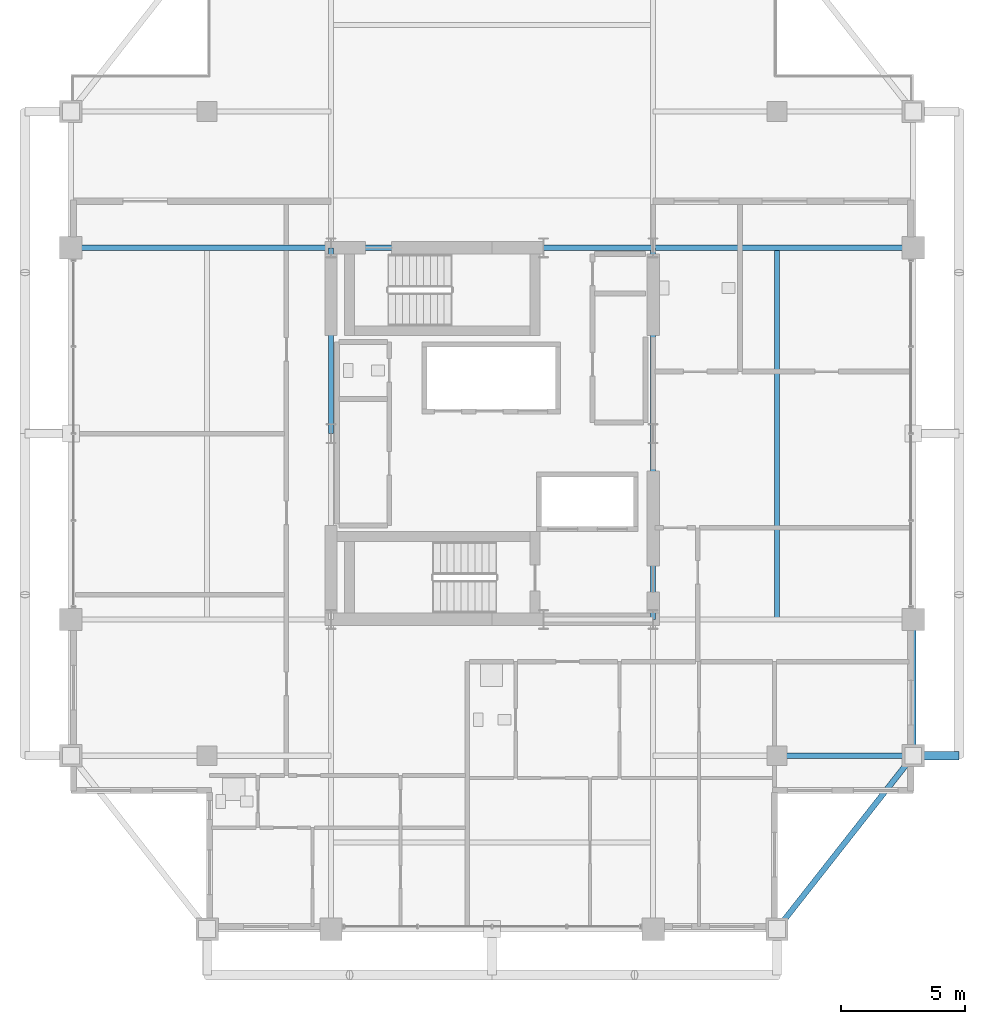
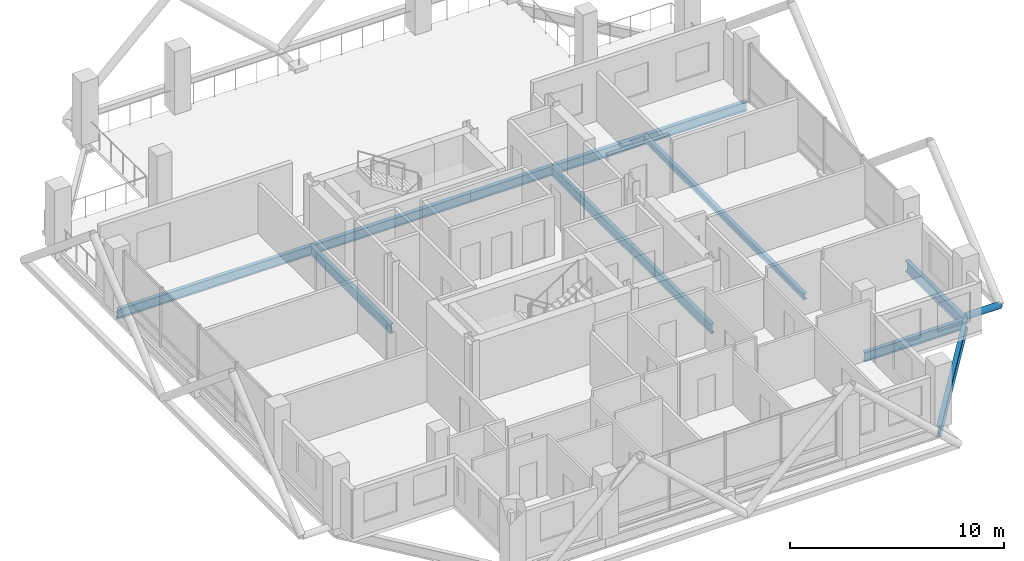
# One storey, part 11 of 21: 11 beams, 1 member.
"""IFC4 building model written with IfcOpenShell, lengths in metres."""

from ifc_helpers import new_model, si_unit, direction, frame, origin, origin_2d, place, context, subcontext, project, spatial, hollow_circle, i_section, extrude, material, material_profile, profile_set, type_object, element, save


model = new_model("IFC4")

# Units and contexts
model_context = context("Model", 3, precision=1e-05, world=origin(), true_north=direction((0.0, 1.0)))
body_context = subcontext(model_context, "Body", "Model", "MODEL_VIEW")
ifc_project = project(units=[si_unit("LENGTHUNIT", "METRE"), si_unit("AREAUNIT", "SQUARE_METRE"), si_unit("VOLUMEUNIT", "CUBIC_METRE"), si_unit("PLANEANGLEUNIT", "RADIAN"), si_unit("MASSUNIT", "GRAM", prefix="KILO")], contexts=[model_context])

# Site, building, storey
site_placement = place(None, origin())
site = spatial("IfcSite", under=ifc_project, at=site_placement, CompositionType="ELEMENT")
building_placement = place(site_placement, origin())
building = spatial("IfcBuilding", under=site, at=building_placement, Name="Barlavira Tower and Art Museum", CompositionType="ELEMENT")
storey_placement = place(building_placement, frame((0.0, 0.0, 261.89990234375)))
storey = spatial("IfcBuildingStorey", under=building, at=storey_placement, Name="L68", CompositionType="ELEMENT", Elevation=261.89990234375)

# Member
ifc_material = material(Name="Steel S355", Category="steel")
ifc_material_profile_1 = material_profile(ifc_material, hollow_circle(Radius=0.177734375, WallThickness=0.01611328125, at=origin_2d()), Name="CHS 355.6x16.0")
ifc_profile_set_1 = profile_set([ifc_material_profile_1], Name="Steel S355")
member_type = type_object("IfcMemberType", Name="Pale-Metal Exoskeleton Tie Strut CHS 356x16 Steel S355", PredefinedType="STRUT", material=ifc_profile_set_1)
member_placement = place(storey_placement, frame((18.85009765625, -13.0, -0.119873046875), z_axis=(-1.0, 0.0, 0.0), x_axis=(0.0, -1.0, 0.0)))
element("IfcMember", 1, at=member_placement, inside=storey, type_object=member_type, Name="L68 Exoskeleton Tie Strut E1", PredefinedType="STRUT", context=body_context, shape_type="SweptSolid", body=[
    extrude(hollow_circle(Radius=0.177734375, WallThickness=0.01611328125, at=origin_2d()), origin(), (0.0, 0.0, 1.0), 1.85009765625),
])

# Beams
ifc_material_profile_2 = material_profile(ifc_material, i_section(OverallWidth=0.22998046875, OverallDepth=0.616943359375, WebThickness=0.01318359375, FlangeThickness=0.022216796875, at=origin_2d()), Name="W610x140.0")
ifc_profile_set_2 = profile_set([ifc_material_profile_2], Name="Steel S355")
beam_type_1 = type_object("IfcBeamType", Name="Upper Shaft Spandrel Edge Beam W610x140 Steel S355", PredefinedType="SPANDREL", material=ifc_profile_set_2)
beam_1_placement = place(storey_placement, frame((11.5, -20.0, -0.5283203125), z_axis=(0.617821551932, 0.786318338822, 0.0), x_axis=(-0.786318338822, 0.617821551932, 0.0)))
element("IfcBeam", 2, at=beam_1_placement, inside=storey, type_object=beam_type_1, Name="L68 Spandrel 4", PredefinedType="SPANDREL", context=body_context, shape_type="SweptSolid", body=[
    extrude(i_section(OverallWidth=0.22998046875, OverallDepth=0.616943359375, WebThickness=0.01318359375, FlangeThickness=0.022216796875, at=origin_2d()), origin(), (0.0, 0.0, 1.0), 8.90234375),
])
beam_2_placement = place(storey_placement, frame((17.0, -13.0, -0.5283203125), z_axis=(0.0, 1.0, 0.0), x_axis=(-1.0, 0.0, 0.0)))
element("IfcBeam", 3, at=beam_2_placement, inside=storey, type_object=beam_type_1, Name="L68 Spandrel 5", PredefinedType="SPANDREL", context=body_context, shape_type="SweptSolid", body=[
    extrude(i_section(OverallWidth=0.22998046875, OverallDepth=0.616943359375, WebThickness=0.01318359375, FlangeThickness=0.022216796875, at=origin_2d()), origin(), (0.0, 0.0, 1.0), 5.5),
])
ifc_material_profile_3 = material_profile(ifc_material, i_section(OverallWidth=0.2109375, OverallDepth=0.5390625, WebThickness=0.01171875, FlangeThickness=0.018798828125, at=origin_2d()), Name="W530x109.0")
ifc_profile_set_3 = profile_set([ifc_material_profile_3], Name="Steel S355")
beam_type_2 = type_object("IfcBeamType", Name="Zone 3-4 Primary Floor Girder W530x109 Steel S355", PredefinedType="BEAM", material=ifc_profile_set_3)
beam_3_placement = place(storey_placement, frame((-6.5, 7.5, -0.489501953125), z_axis=(1.0, 0.0, 0.0), x_axis=(0.0, 1.0, 0.0)))
element("IfcBeam", 4, at=beam_3_placement, inside=storey, type_object=beam_type_2, Name="L68 Girder C-N1", PredefinedType="BEAM", context=body_context, shape_type="SweptSolid", body=[
    extrude(i_section(OverallWidth=0.2109375, OverallDepth=0.5390625, WebThickness=0.01171875, FlangeThickness=0.018798828125, at=origin_2d()), origin(), (0.0, 0.0, 1.0), 8.580078125),
])
beam_4_placement = place(storey_placement, frame((2.080078125, 7.5, -0.489501953125), z_axis=(1.0, 0.0, 0.0), x_axis=(0.0, 1.0, 0.0)))
element("IfcBeam", 5, at=beam_4_placement, inside=storey, type_object=beam_type_2, Name="L68 Girder C-N2", PredefinedType="BEAM", context=body_context, shape_type="SweptSolid", body=[
    extrude(i_section(OverallWidth=0.2109375, OverallDepth=0.5390625, WebThickness=0.01171875, FlangeThickness=0.018798828125, at=origin_2d()), origin(), (0.0, 0.0, 1.0), 4.419921875),
])
for number, where, z_axis, x_axis, name in (
    (6, (-6.5, 0.0, -0.489501953125), (0.0, 1.0, 0.0), (-1.0, 0.0, 0.0), "L68 Girder C-W2"),
    (7, (6.5, -7.5, -0.489501953125), (0.0, 1.0, 0.0), (-1.0, 0.0, 0.0), "L68 Girder C-E1"),
    (8, (6.5, 0.0, -0.489501953125), (0.0, 1.0, 0.0), (-1.0, 0.0, 0.0), "L68 Girder C-E2"),
):
    element("IfcBeam", number, at=place(storey_placement, frame(where, z_axis=z_axis, x_axis=x_axis)), inside=storey, type_object=beam_type_2, Name=name, PredefinedType="BEAM", context=body_context, shape_type="SweptSolid", body=[
        extrude(i_section(OverallWidth=0.2109375, OverallDepth=0.5390625, WebThickness=0.01171875, FlangeThickness=0.018798828125, at=origin_2d()), origin(), (0.0, 0.0, 1.0), 7.5),
    ])
for number, where, z_axis, x_axis, name in (
    (9, (-17.0, 7.5, -0.489501953125), (1.0, 0.0, 0.0), (0.0, 1.0, 0.0), "L68 Girder R-W2"),
    (10, (6.5, 7.5, -0.489501953125), (1.0, 0.0, 0.0), (0.0, 1.0, 0.0), "L68 Girder R-E2"),
):
    element("IfcBeam", number, at=place(storey_placement, frame(where, z_axis=z_axis, x_axis=x_axis)), inside=storey, type_object=beam_type_2, Name=name, PredefinedType="BEAM", context=body_context, shape_type="SweptSolid", body=[
        extrude(i_section(OverallWidth=0.2109375, OverallDepth=0.5390625, WebThickness=0.01171875, FlangeThickness=0.018798828125, at=origin_2d()), origin(), (0.0, 0.0, 1.0), 10.5),
    ])
beam_5_placement = place(storey_placement, frame((11.5, -13.0, -0.489501953125), z_axis=(1.0, 0.0, 0.0), x_axis=(0.0, 1.0, 0.0)))
element("IfcBeam", 11, at=beam_5_placement, inside=storey, type_object=beam_type_2, Name="L68 Girder I-S4", PredefinedType="BEAM", context=body_context, shape_type="SweptSolid", body=[
    extrude(i_section(OverallWidth=0.2109375, OverallDepth=0.5390625, WebThickness=0.01171875, FlangeThickness=0.018798828125, at=origin_2d()), origin(), (0.0, 0.0, 1.0), 5.5),
])
ifc_material_profile_4 = material_profile(ifc_material, i_section(OverallWidth=0.202880859375, OverallDepth=0.346923828125, WebThickness=0.0078125, FlangeThickness=0.013427734375, at=origin_2d()), Name="W360x64.0")
ifc_profile_set_4 = profile_set([ifc_material_profile_4], Name="Steel S355")
beam_type_3 = type_object("IfcBeamType", Name="Zone 4 Composite Floor Joist W360x64 Steel S355", PredefinedType="JOIST", material=ifc_profile_set_4)
beam_6_placement = place(storey_placement, frame((11.5, -7.5, -0.393310546875), z_axis=(0.0, 1.0, 0.0), x_axis=(-1.0, 0.0, 0.0)))
element("IfcBeam", 12, at=beam_6_placement, inside=storey, type_object=beam_type_3, Name="L68 Joist W2", PredefinedType="JOIST", context=body_context, shape_type="SweptSolid", body=[
    extrude(i_section(OverallWidth=0.202880859375, OverallDepth=0.346923828125, WebThickness=0.0078125, FlangeThickness=0.013427734375, at=origin_2d()), origin(), (0.0, 0.0, 1.0), 15.0),
])

save(model, "model.ifc")
